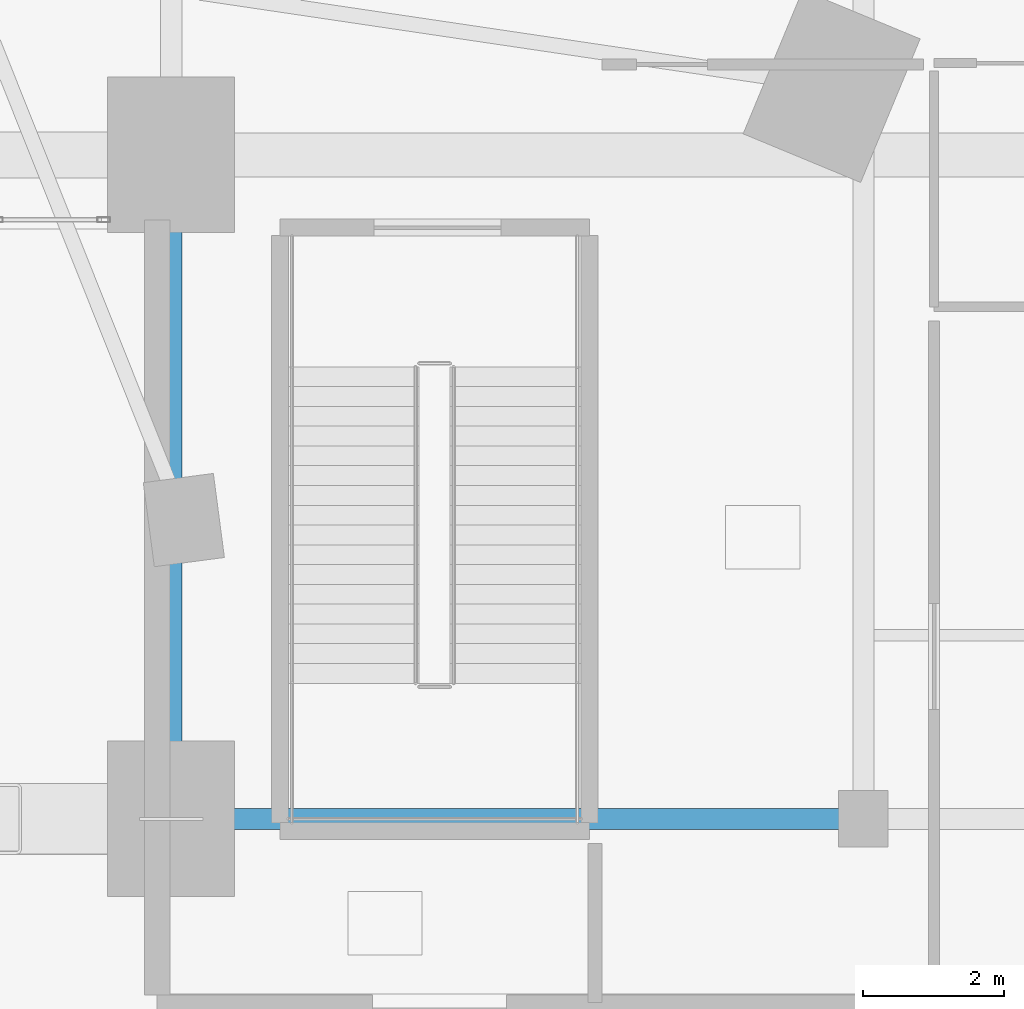
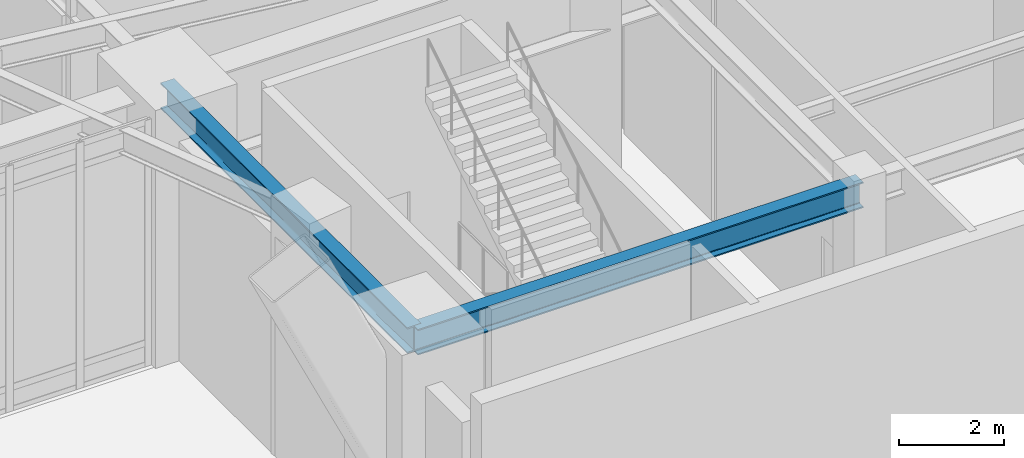
# One storey, part 7 of 27: 2 beams.
"""IFC4 building model written with IfcOpenShell, lengths in metres."""

from ifc_helpers import new_model, si_unit, direction, frame, origin, origin_2d, place, context, subcontext, project, spatial, i_section, extrude, material, material_profile, profile_set, type_object, element, save


model = new_model("IFC4")

# Units and contexts
model_context = context("Model", 3, precision=1e-05, world=origin(), true_north=direction((0.0, 1.0)))
body_context = subcontext(model_context, "Body", "Model", "MODEL_VIEW")
ifc_project = project(units=[si_unit("LENGTHUNIT", "METRE"), si_unit("AREAUNIT", "SQUARE_METRE"), si_unit("VOLUMEUNIT", "CUBIC_METRE"), si_unit("PLANEANGLEUNIT", "RADIAN"), si_unit("MASSUNIT", "GRAM", prefix="KILO")], contexts=[model_context])

# Site, building, storey
site_placement = place(None, origin())
site = spatial("IfcSite", under=ifc_project, at=site_placement, CompositionType="ELEMENT")
building_placement = place(site_placement, origin())
building = spatial("IfcBuilding", under=site, at=building_placement, Name="Ndelora Gate Hotel", CompositionType="ELEMENT")
storey_placement = place(building_placement, origin())
storey = spatial("IfcBuildingStorey", under=building, at=storey_placement, Name="L00", CompositionType="ELEMENT", Elevation=0.0)

# Beams
ifc_material = material(Name="Steel S355", Category="steel")
ifc_material_profile = material_profile(ifc_material, i_section(OverallWidth=0.300048828125, OverallDepth=0.60009765625, WebThickness=0.015380859375, FlangeThickness=0.030029296875, FilletRadius=0.027099609375, at=origin_2d()), Name="HEB 600")
ifc_profile_set = profile_set([ifc_material_profile], Name="Steel S355")
beam_type = type_object("IfcBeamType", Name="BM-POD-600", PredefinedType="BEAM", material=ifc_profile_set)
beam_1_placement = place(storey_placement, frame((11.0, -18.800048828125, 5.419921875), z_axis=(0.0, 1.0, 0.0), x_axis=(-1.0, 0.0, 0.0)))
element("IfcBeam", 1, at=beam_1_placement, inside=storey, type_object=beam_type, Name="L00 Podium Longitudinal Girder X=+11.0", PredefinedType="BEAM", context=body_context, shape_type="SweptSolid", body=[
    extrude(i_section(OverallWidth=0.300048828125, OverallDepth=0.60009765625, WebThickness=0.015380859375, FlangeThickness=0.030029296875, FilletRadius=0.027099609375, at=origin_2d()), origin(), (0.0, 0.0, 1.0), 9.400146484375),
])
beam_2_placement = place(storey_placement, frame((11.0, -18.800048828125, 5.419921875), z_axis=(1.0, 0.0, 0.0), x_axis=(0.0, 1.0, 0.0)))
element("IfcBeam", 2, at=beam_2_placement, inside=storey, type_object=beam_type, Name="L00 Podium Transverse Girder Y=-18.8", PredefinedType="BEAM", context=body_context, shape_type="SweptSolid", body=[
    extrude(i_section(OverallWidth=0.300048828125, OverallDepth=0.60009765625, WebThickness=0.015380859375, FlangeThickness=0.030029296875, FilletRadius=0.027099609375, at=origin_2d()), origin(), (0.0, 0.0, 1.0), 9.800048828125),
])

save(model, "model.ifc")
